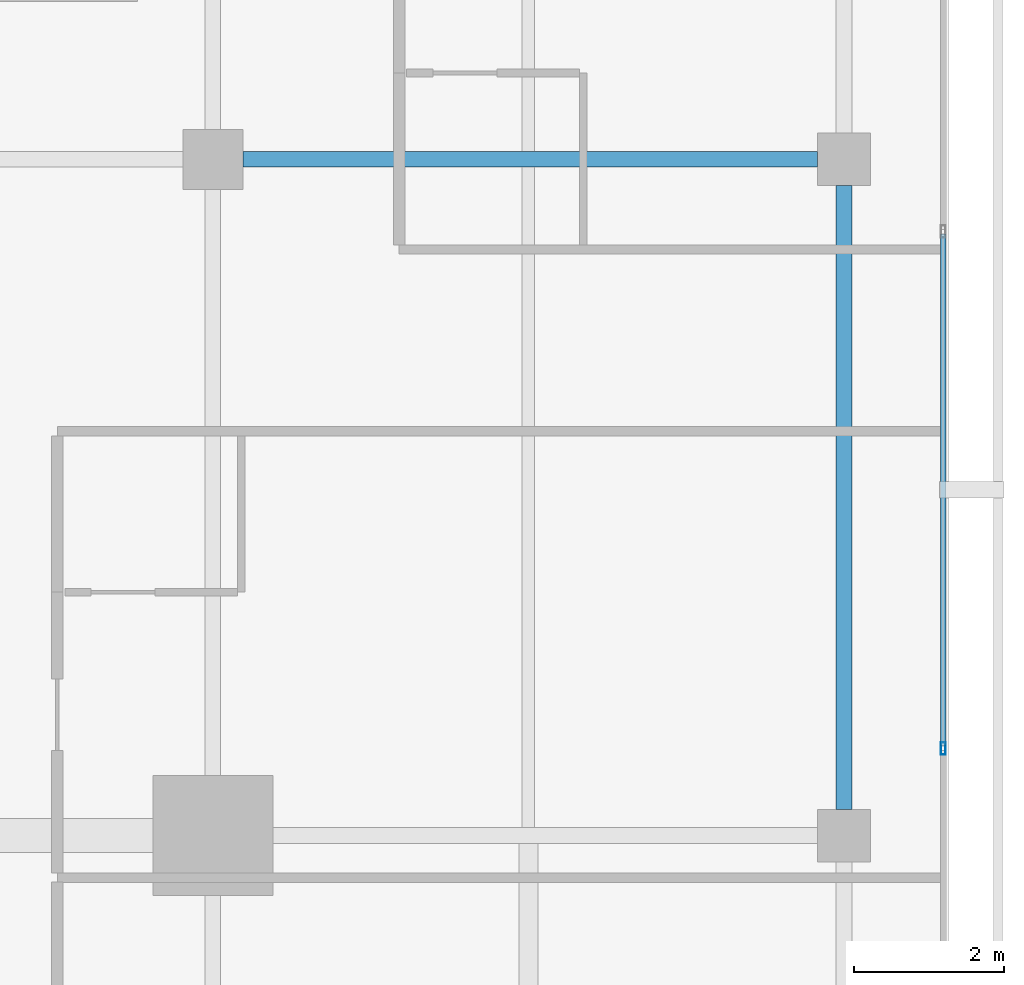
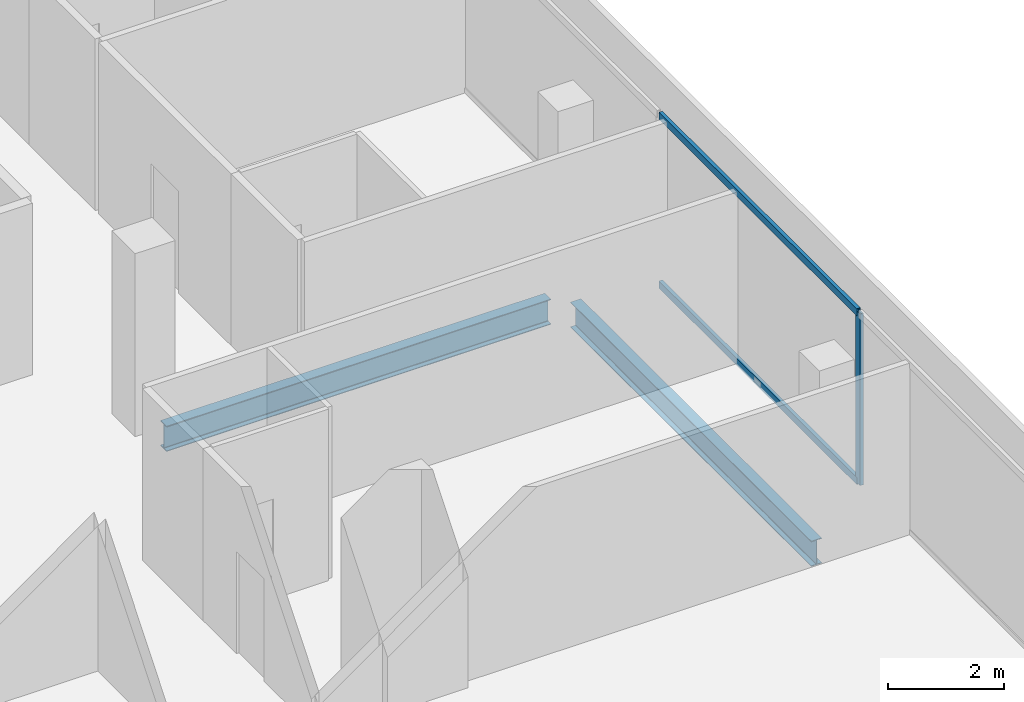
# One storey, part 14 of 25: 3 members, 2 beams, 1 element without a shape of its own.
"""IFC4 building model written with IfcOpenShell, lengths in metres."""

from ifc_helpers import new_model, si_unit, direction, frame, origin, origin_2d, place, context, subcontext, project, spatial, hollow_rectangle, i_section, extrude, material, layer, layer_set, material_profile, profile_set, type_object, element, aggregate, save


model = new_model("IFC4")

# Units and contexts
model_context = context("Model", 3, precision=1e-05, world=origin(), true_north=direction((0.0, 1.0)))
body_context = subcontext(model_context, "Body", "Model", "MODEL_VIEW")
ifc_project = project(units=[si_unit("LENGTHUNIT", "METRE"), si_unit("AREAUNIT", "SQUARE_METRE"), si_unit("VOLUMEUNIT", "CUBIC_METRE"), si_unit("PLANEANGLEUNIT", "RADIAN"), si_unit("MASSUNIT", "GRAM", prefix="KILO")], contexts=[model_context])

# Site, building, storey
site_placement = place(None, origin())
site = spatial("IfcSite", under=ifc_project, at=site_placement, CompositionType="ELEMENT")
building_placement = place(site_placement, origin())
building = spatial("IfcBuilding", under=site, at=building_placement, Name="Maruvema Waterfront Hotel and Observation Tower", CompositionType="ELEMENT")
storey_placement = place(building_placement, frame((0.0, 0.0, 270.199951171875)))
storey = spatial("IfcBuildingStorey", under=building, at=storey_placement, Name="L66", CompositionType="ELEMENT", Elevation=270.199951171875)

# Curtain wall, members
ifc_material_1 = material(Name="Anodised bronze aluminium and solar-control low-E IGU", Category="aluminium")
ifc_layer = layer(ifc_material_1, 0.159912109375, Name="Zone 3 Champagne Inner Thermal Curtain Wall System CW-04")
ifc_layer_set = layer_set([ifc_layer], Name="Anodised bronze aluminium and solar-control low-E IGU")
curtain_wall_type = type_object("IfcCurtainWallType", Name="Zone 3 Champagne Inner Thermal Curtain Wall System CW-04", PredefinedType="USERDEFINED", material=ifc_layer_set)
curtain_wall_placement = place(storey_placement, origin())
curtain_wall = element("IfcCurtainWall", 1, at=curtain_wall_placement, inside=storey, type_object=curtain_wall_type, Name="L66 Curtain Wall CW-L66-E", ObjectType="UNITISED CURTAIN WALL", PredefinedType="USERDEFINED")
ifc_material_2 = material(Name="Anodised architectural bronze aluminium", Category="aluminium")
ifc_material_profile_1 = material_profile(ifc_material_2, hollow_rectangle(XDim=0.070068359375, YDim=0.14990234375, WallThickness=0.00390625, at=origin_2d()), Name="ALU-T70x150")
ifc_profile_set_1 = profile_set([ifc_material_profile_1], Name="Anodised architectural bronze aluminium")
member_type_1 = type_object("IfcMemberType", Name="Curtain Wall Horizontal Transom ALU-T70x150", PredefinedType="USERDEFINED", material=ifc_profile_set_1)
member_1_placement = place(storey_placement, frame((60.1201171875, 28.18994140625, 0.030029296875), z_axis=(0.0, 1.0, 0.0), x_axis=(-1.0, 0.0, 0.0)))
member_1 = element("IfcMember", 2, at=member_1_placement, type_object=member_type_1, Name="CW-04 transom 3.1", ObjectType="TRANSOM", PredefinedType="USERDEFINED", context=body_context, shape_type="SweptSolid", body=[
    extrude(hollow_rectangle(XDim=0.070068359375, YDim=0.14990234375, WallThickness=0.00390625, at=origin_2d()), origin(), (0.0, 0.0, 1.0), 6.820068359375),
])
member_2_placement = place(storey_placement, frame((60.1201171875, 28.18994140625, 3.580078125), z_axis=(0.0, 1.0, 0.0), x_axis=(-1.0, 0.0, 0.0)))
member_2 = element("IfcMember", 3, at=member_2_placement, type_object=member_type_1, Name="CW-04 transom 3.2", ObjectType="TRANSOM", PredefinedType="USERDEFINED", context=body_context, shape_type="SweptSolid", body=[
    extrude(hollow_rectangle(XDim=0.070068359375, YDim=0.14990234375, WallThickness=0.00390625, at=origin_2d()), origin(), (0.0, 0.0, 1.0), 6.820068359375),
])
ifc_material_3 = material(Name="Anodised architectural bronze aluminium", Category="aluminium")
ifc_material_profile_2 = material_profile(ifc_material_3, hollow_rectangle(XDim=0.06494140625, YDim=0.1650390625, WallThickness=0.00390625, at=origin_2d()), Name="ALU-M65x165")
ifc_profile_set_2 = profile_set([ifc_material_profile_2], Name="Anodised architectural bronze aluminium")
member_type_2 = type_object("IfcMemberType", Name="Curtain Wall Primary Mullion ALU-M65x165", PredefinedType="MULLION", material=ifc_profile_set_2)
member_3_placement = place(storey_placement, frame((60.1201171875, 28.159912109375, 0.0), z_axis=(0.0, 0.0, 1.0), x_axis=(-1.0, 0.0, 0.0)))
member_3 = element("IfcMember", 4, at=member_3_placement, type_object=member_type_2, Name="CW-04 mullion 3", PredefinedType="MULLION", context=body_context, shape_type="SweptSolid", body=[
    extrude(hollow_rectangle(XDim=0.06494140625, YDim=0.1650390625, WallThickness=0.00390625, at=origin_2d()), origin(), (0.0, 0.0, 1.0), 3.610107421875),
])
aggregate(curtain_wall, [member_3, member_1, member_2])

# Beams
ifc_material_4 = material(Name="Steel ASTM A572 Grade 50", Category="steel")
ifc_material_profile_3 = material_profile(ifc_material_4, i_section(OverallWidth=0.208984375, OverallDepth=0.532958984375, WebThickness=0.01025390625, FlangeThickness=0.015625, FilletRadius=0.014892578125, at=origin_2d()), Name="W530x92.0")
ifc_profile_set_3 = profile_set([ifc_material_profile_3], Name="Steel ASTM A572 Grade 50")
beam_type = type_object("IfcBeamType", Name="Primary Floor Girder W530x92.0", PredefinedType="BEAM", material=ifc_profile_set_3)
beam_1_placement = place(storey_placement, frame((50.800048828125, 36.0, -0.50634765625), z_axis=(1.0, 0.0, 0.0), x_axis=(0.0, 1.0, 0.0)))
element("IfcBeam", 5, at=beam_1_placement, inside=storey, type_object=beam_type, Name="L66 Floor Girder EW-16", PredefinedType="BEAM", context=body_context, shape_type="SweptSolid", body=[
    extrude(i_section(OverallWidth=0.208984375, OverallDepth=0.532958984375, WebThickness=0.01025390625, FlangeThickness=0.015625, FilletRadius=0.014892578125, at=origin_2d()), origin(), (0.0, 0.0, 1.0), 7.64990234375),
])
beam_2_placement = place(storey_placement, frame((58.800048828125, 27.35009765625, -0.50634765625), z_axis=(0.0, 1.0, 0.0), x_axis=(-1.0, 0.0, 0.0)))
element("IfcBeam", 6, at=beam_2_placement, inside=storey, type_object=beam_type, Name="L66 Floor Girder NS-17", PredefinedType="BEAM", context=body_context, shape_type="SweptSolid", body=[
    extrude(i_section(OverallWidth=0.208984375, OverallDepth=0.532958984375, WebThickness=0.01025390625, FlangeThickness=0.015625, FilletRadius=0.014892578125, at=origin_2d()), origin(), (0.0, 0.0, 1.0), 8.2998046875),
])

save(model, "model.ifc")
